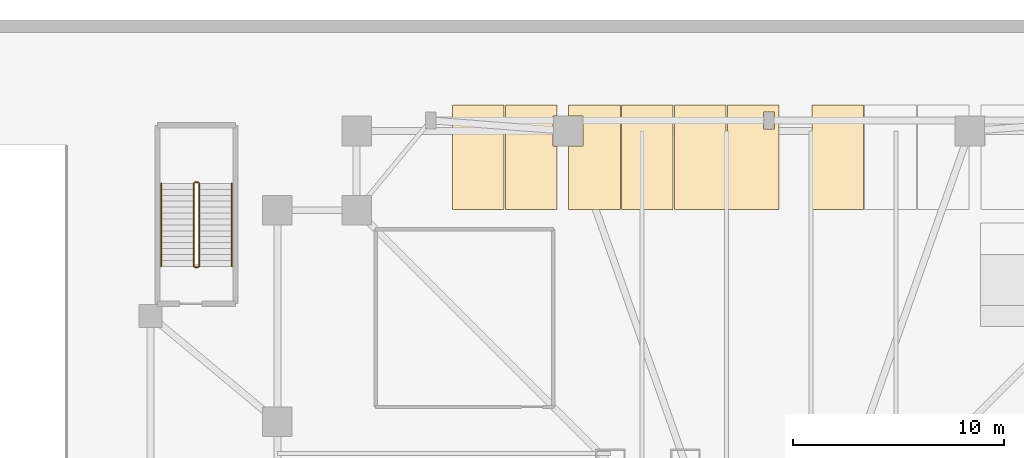
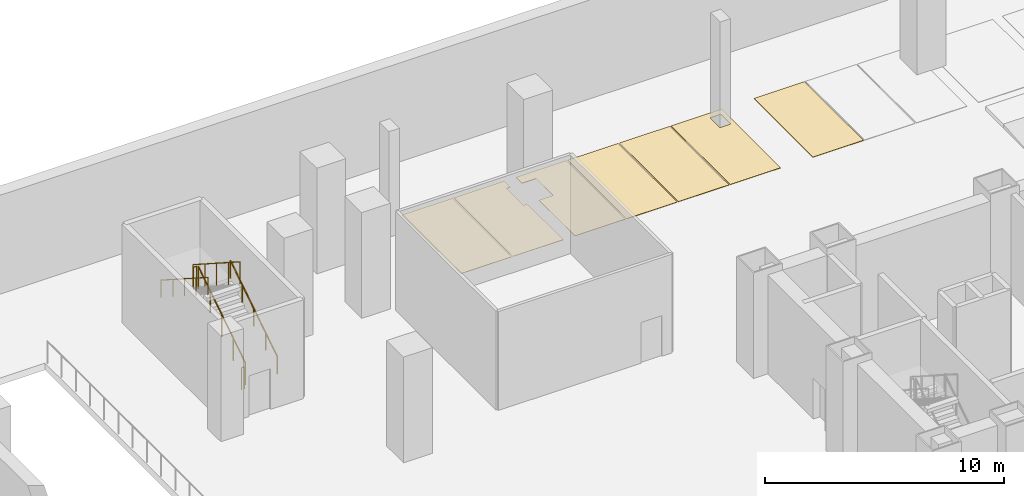
# One storey, part 11 of 14: 7 coverings, 6 railings.
"""IFC4 building model written with IfcOpenShell, lengths in metres."""

from ifc_helpers import new_model, si_unit, direction, frame, origin, origin_2d, place, context, subcontext, project, spatial, polyline, circle, outline, extrude, material, layer, layer_set, type_object, element, save


model = new_model("IFC4")

# Units and contexts
model_context = context("Model", 3, precision=1e-05, world=origin(), true_north=direction((0.0, 1.0)))
body_context = subcontext(model_context, "Body", "Model", "MODEL_VIEW")
ifc_project = project(units=[si_unit("LENGTHUNIT", "METRE"), si_unit("AREAUNIT", "SQUARE_METRE"), si_unit("VOLUMEUNIT", "CUBIC_METRE"), si_unit("PLANEANGLEUNIT", "RADIAN"), si_unit("MASSUNIT", "GRAM", prefix="KILO")], contexts=[model_context])

# Site, building, storey
site_placement = place(None, origin())
site = spatial("IfcSite", under=ifc_project, at=site_placement, CompositionType="ELEMENT")
building_placement = place(site_placement, origin())
building = spatial("IfcBuilding", under=site, at=building_placement, Name="Trevonay Congress Spire", CompositionType="ELEMENT")
storey_placement = place(building_placement, frame((0.0, 0.0, -5.39990234375)))
storey = spatial("IfcBuildingStorey", under=building, at=storey_placement, Name="B1", CompositionType="ELEMENT", Elevation=-5.39990234375)

# Coverings
ifc_material_1 = material(Name="Polished Granite Floor Tile", Category="masonry")
ifc_layer = layer(ifc_material_1, 0.02001953125, Name="Polished Granite Floor Tile")
ifc_layer_set = layer_set([ifc_layer], Name="Polished Granite Floor Tile")
covering_type = type_object("IfcCoveringType", Name="COV-FLOOR-STONE", PredefinedType="FLOORING", material=ifc_layer_set)
covering_1_placement = place(storey_placement, origin())
element("IfcCovering", 1, at=covering_1_placement, inside=storey, type_object=covering_type, Name="B1 Standard Parking Bay PK-36 floor finish", PredefinedType="FLOORING", context=body_context, shape_type="SweptSolid", body=[
    extrude(outline(polyline([(-14.969970703125, 19.530029296875), (-12.530029296875, 19.530029296875), (-12.530029296875, 24.469970703125), (-14.969970703125, 24.469970703125), (-14.969970703125, 19.530029296875)])), origin(), (0.0, 0.0, 1.0), 0.02001953125),
])
covering_2_placement = place(storey_placement, origin())
element("IfcCovering", 2, at=covering_2_placement, inside=storey, type_object=covering_type, Name="B1 Standard Parking Bay PK-37 floor finish", PredefinedType="FLOORING", context=body_context, shape_type="SweptSolid", body=[
    extrude(outline(polyline([(-10.030029296875, 19.530029296875), (-12.469970703125, 19.530029296875), (-12.469970703125, 24.469970703125), (-10.030029296875, 24.469970703125), (-10.030029296875, 23.9599609375), (-10.2099609375, 23.9599609375), (-10.2099609375, 22.5400390625), (-10.030029296875, 22.5400390625), (-10.030029296875, 19.530029296875)])), origin(), (0.0, 0.0, 1.0), 0.02001953125),
])
covering_3_placement = place(storey_placement, origin())
element("IfcCovering", 3, at=covering_3_placement, inside=storey, type_object=covering_type, Name="B1 Standard Parking Bay PK-38 floor finish", PredefinedType="FLOORING", context=body_context, shape_type="SweptSolid", body=[
    extrude(outline(polyline([(-9.469970703125, 24.469970703125), (-7.030029296875, 24.469970703125), (-7.030029296875, 19.530029296875), (-9.469970703125, 19.530029296875), (-9.469970703125, 22.5400390625), (-8.7900390625, 22.5400390625), (-8.7900390625, 23.9599609375), (-9.469970703125, 23.9599609375), (-9.469970703125, 24.469970703125)])), origin(), (0.0, 0.0, 1.0), 0.02001953125),
])
covering_4_placement = place(storey_placement, origin())
element("IfcCovering", 4, at=covering_4_placement, inside=storey, type_object=covering_type, Name="B1 Standard Parking Bay PK-39 floor finish", PredefinedType="FLOORING", context=body_context, shape_type="SweptSolid", body=[
    extrude(outline(polyline([(-6.969970703125, 19.530029296875), (-4.530029296875, 19.530029296875), (-4.530029296875, 24.469970703125), (-6.969970703125, 24.469970703125), (-6.969970703125, 19.530029296875)])), origin(), (0.0, 0.0, 1.0), 0.02001953125),
])
covering_5_placement = place(storey_placement, origin())
element("IfcCovering", 5, at=covering_5_placement, inside=storey, type_object=covering_type, Name="B1 Standard Parking Bay PK-40 floor finish", PredefinedType="FLOORING", context=body_context, shape_type="SweptSolid", body=[
    extrude(outline(polyline([(-4.469970703125, 19.530029296875), (-2.030029296875, 19.530029296875), (-2.030029296875, 24.469970703125), (-4.469970703125, 24.469970703125), (-4.469970703125, 19.530029296875)])), origin(), (0.0, 0.0, 1.0), 0.02001953125),
])
covering_6_placement = place(storey_placement, origin())
element("IfcCovering", 6, at=covering_6_placement, inside=storey, type_object=covering_type, Name="B1 Standard Parking Bay PK-41 floor finish", PredefinedType="FLOORING", context=body_context, shape_type="SweptSolid", body=[
    extrude(outline(polyline([(-1.969970703125, 24.469970703125), (0.469970703125, 24.469970703125), (0.469970703125, 19.530029296875), (-1.969970703125, 19.530029296875), (-1.969970703125, 24.469970703125)]), holes=[polyline([(0.260009765625, 23.340087890625), (0.260009765625, 24.159912109375), (-0.260009765625, 24.159912109375), (-0.260009765625, 23.340087890625), (0.260009765625, 23.340087890625)])]), origin(), (0.0, 0.0, 1.0), 0.02001953125),
])
covering_7_placement = place(storey_placement, origin())
element("IfcCovering", 7, at=covering_7_placement, inside=storey, type_object=covering_type, Name="B1 Standard Parking Bay PK-42 floor finish", PredefinedType="FLOORING", context=body_context, shape_type="SweptSolid", body=[
    extrude(outline(polyline([(2.030029296875, 19.530029296875), (4.469970703125, 19.530029296875), (4.469970703125, 24.469970703125), (2.030029296875, 24.469970703125), (2.030029296875, 19.530029296875)])), origin(), (0.0, 0.0, 1.0), 0.02001953125),
])

# Railings
ifc_material_2 = material(Name="Pale Anodised Aluminium EN AW-6063-T6", Category="aluminium")
railing_type_1 = type_object("IfcRailingType", Name="RAL-STAIR-GUARD-110", PredefinedType="GUARDRAIL", material=ifc_material_2)
railing_1_placement = place(storey_placement, frame((-26.949951171875, 16.85009765625, 0.179931640625)))
element("IfcRailing", 8, at=railing_1_placement, inside=storey, type_object=railing_type_1, Name="B1 ST-5 stair guard 1", PredefinedType="GUARDRAIL", context=body_context, shape_type="SweptSolid", body=[
    extrude(circle(Radius=0.02392578125, at=origin_2d()), frame((0.0, 0.0, 1.1259765625), z_axis=(0.0, 0.841171666519, 0.540768182723), x_axis=(-1.0, 0.0, 0.0)), (0.0, 0.0, 1.0), 4.66015625),
    extrude(circle(Radius=0.02099609375, at=origin_2d()), origin(), (0.0, 0.0, 1.0), 1.101806640625),
    extrude(circle(Radius=0.02099609375, at=origin_2d()), frame((0.0, 0.97998046875, 0.6298828125)), (0.0, 0.0, 1.0), 1.101806640625),
    extrude(circle(Radius=0.02099609375, at=origin_2d()), frame((0.0, 1.9599609375, 1.260009765625)), (0.0, 0.0, 1.0), 1.101806640625),
    extrude(circle(Radius=0.02099609375, at=origin_2d()), frame((0.0, 2.93994140625, 1.89013671875)), (0.0, 0.0, 1.0), 1.101806640625),
    extrude(circle(Radius=0.02099609375, at=origin_2d()), frame((0.0, 3.919921875, 2.52001953125)), (0.0, 0.0, 1.0), 1.101806640625),
])
railing_2_placement = place(storey_placement, frame((-27.0, 20.820068359375, 2.699951171875)))
element("IfcRailing", 9, at=railing_2_placement, inside=storey, type_object=railing_type_1, Name="B1 ST-5 stair guard 2", PredefinedType="GUARDRAIL", context=body_context, shape_type="SweptSolid", body=[
    extrude(circle(Radius=0.02392578125, at=origin_2d()), frame((0.0, 0.0, 1.1259765625), z_axis=(-1.0, 0.0, 0.0), x_axis=(0.0, -1.0, 0.0)), (0.0, 0.0, 1.0), 0.14990234375),
    extrude(circle(Radius=0.02099609375, at=origin_2d()), origin(), (0.0, 0.0, 1.0), 1.101806640625),
    extrude(circle(Radius=0.02099609375, at=origin_2d()), frame((-0.14990234375, 0.0, 0.0)), (0.0, 0.0, 1.0), 1.101806640625),
])
railing_3_placement = place(storey_placement, frame((-27.199951171875, 20.77001953125, 2.8798828125)))
element("IfcRailing", 10, at=railing_3_placement, inside=storey, type_object=railing_type_1, Name="B1 ST-5 stair guard 3", PredefinedType="GUARDRAIL", context=body_context, shape_type="SweptSolid", body=[
    extrude(circle(Radius=0.02392578125, at=origin_2d()), frame((0.0, 0.0, 1.1259765625), z_axis=(0.0, -0.841171666519, 0.540768182723), x_axis=(1.0, 0.0, 0.0)), (0.0, 0.0, 1.0), 4.66015625),
    extrude(circle(Radius=0.02099609375, at=origin_2d()), origin(), (0.0, 0.0, 1.0), 1.101806640625),
    extrude(circle(Radius=0.02099609375, at=origin_2d()), frame((0.0, -0.97998046875, 0.6298828125)), (0.0, 0.0, 1.0), 1.101806640625),
    extrude(circle(Radius=0.02099609375, at=origin_2d()), frame((0.0, -1.9599609375, 1.260009765625)), (0.0, 0.0, 1.0), 1.101806640625),
    extrude(circle(Radius=0.02099609375, at=origin_2d()), frame((0.0, -2.93994140625, 1.89013671875)), (0.0, 0.0, 1.0), 1.101806640625),
    extrude(circle(Radius=0.02099609375, at=origin_2d()), frame((0.0, -3.919921875, 2.52001953125)), (0.0, 0.0, 1.0), 1.101806640625),
])
railing_4_placement = place(storey_placement, frame((-27.0, 16.800048828125, 0.0)))
element("IfcRailing", 11, at=railing_4_placement, inside=storey, type_object=railing_type_1, Name="B1 ST-5 stair guard 4", PredefinedType="GUARDRAIL", context=body_context, shape_type="SweptSolid", body=[
    extrude(circle(Radius=0.02392578125, at=origin_2d()), frame((0.0, 0.0, 1.1259765625), z_axis=(-1.0, 0.0, 0.0), x_axis=(0.0, -1.0, 0.0)), (0.0, 0.0, 1.0), 0.14990234375),
    extrude(circle(Radius=0.02099609375, at=origin_2d()), origin(), (0.0, 0.0, 1.0), 1.101806640625),
    extrude(circle(Radius=0.02099609375, at=origin_2d()), frame((-0.14990234375, 0.0, 0.0)), (0.0, 0.0, 1.0), 1.101806640625),
])
railing_type_2 = type_object("IfcRailingType", Name="RAL-STAIR-HANDRAIL", PredefinedType="HANDRAIL", material=ifc_material_2)
railing_5_placement = place(storey_placement, frame((-25.39990234375, 16.85009765625, 0.179931640625)))
element("IfcRailing", 12, at=railing_5_placement, inside=storey, type_object=railing_type_2, Name="B1 ST-5 stair handrail 1", PredefinedType="HANDRAIL", context=body_context, shape_type="SweptSolid", body=[
    extrude(circle(Radius=0.02392578125, at=origin_2d()), frame((0.0, 0.0, 0.8759765625), z_axis=(0.0, 0.841171666519, 0.540768182723), x_axis=(-1.0, 0.0, 0.0)), (0.0, 0.0, 1.0), 4.66015625),
    extrude(circle(Radius=0.02099609375, at=origin_2d()), origin(), (0.0, 0.0, 1.0), 0.851806640625),
    extrude(circle(Radius=0.02099609375, at=origin_2d()), frame((0.0, 0.97998046875, 0.6298828125)), (0.0, 0.0, 1.0), 0.851806640625),
    extrude(circle(Radius=0.02099609375, at=origin_2d()), frame((0.0, 1.9599609375, 1.260009765625)), (0.0, 0.0, 1.0), 0.851806640625),
    extrude(circle(Radius=0.02099609375, at=origin_2d()), frame((0.0, 2.93994140625, 1.89013671875)), (0.0, 0.0, 1.0), 0.851806640625),
    extrude(circle(Radius=0.02099609375, at=origin_2d()), frame((0.0, 3.919921875, 2.52001953125)), (0.0, 0.0, 1.0), 0.851806640625),
])
railing_6_placement = place(storey_placement, frame((-28.75, 20.77001953125, 2.8798828125)))
element("IfcRailing", 13, at=railing_6_placement, inside=storey, type_object=railing_type_2, Name="B1 ST-5 stair handrail 2", PredefinedType="HANDRAIL", context=body_context, shape_type="SweptSolid", body=[
    extrude(circle(Radius=0.02392578125, at=origin_2d()), frame((0.0, 0.0, 0.8759765625), z_axis=(0.0, -0.841171666519, 0.540768182723), x_axis=(1.0, 0.0, 0.0)), (0.0, 0.0, 1.0), 4.66015625),
    extrude(circle(Radius=0.02099609375, at=origin_2d()), origin(), (0.0, 0.0, 1.0), 0.851806640625),
    extrude(circle(Radius=0.02099609375, at=origin_2d()), frame((0.0, -0.97998046875, 0.6298828125)), (0.0, 0.0, 1.0), 0.851806640625),
    extrude(circle(Radius=0.02099609375, at=origin_2d()), frame((0.0, -1.9599609375, 1.260009765625)), (0.0, 0.0, 1.0), 0.851806640625),
    extrude(circle(Radius=0.02099609375, at=origin_2d()), frame((0.0, -2.93994140625, 1.89013671875)), (0.0, 0.0, 1.0), 0.851806640625),
    extrude(circle(Radius=0.02099609375, at=origin_2d()), frame((0.0, -3.919921875, 2.52001953125)), (0.0, 0.0, 1.0), 0.851806640625),
])

save(model, "model.ifc")
